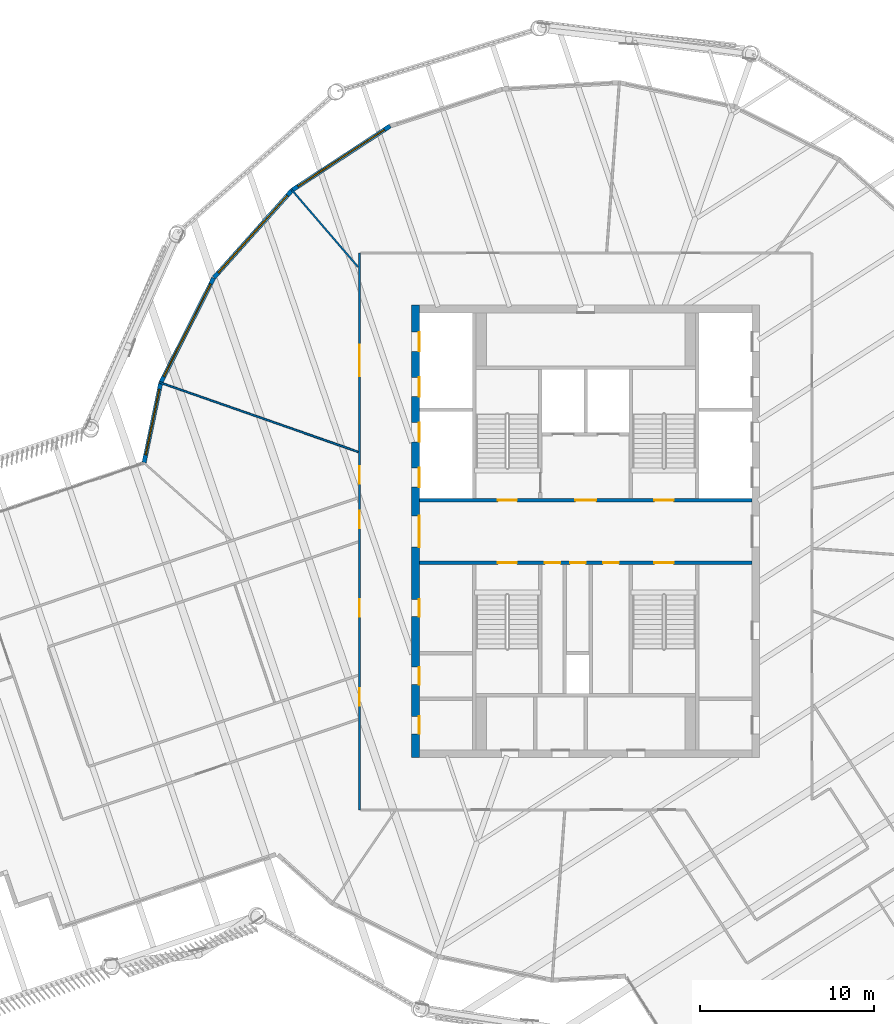
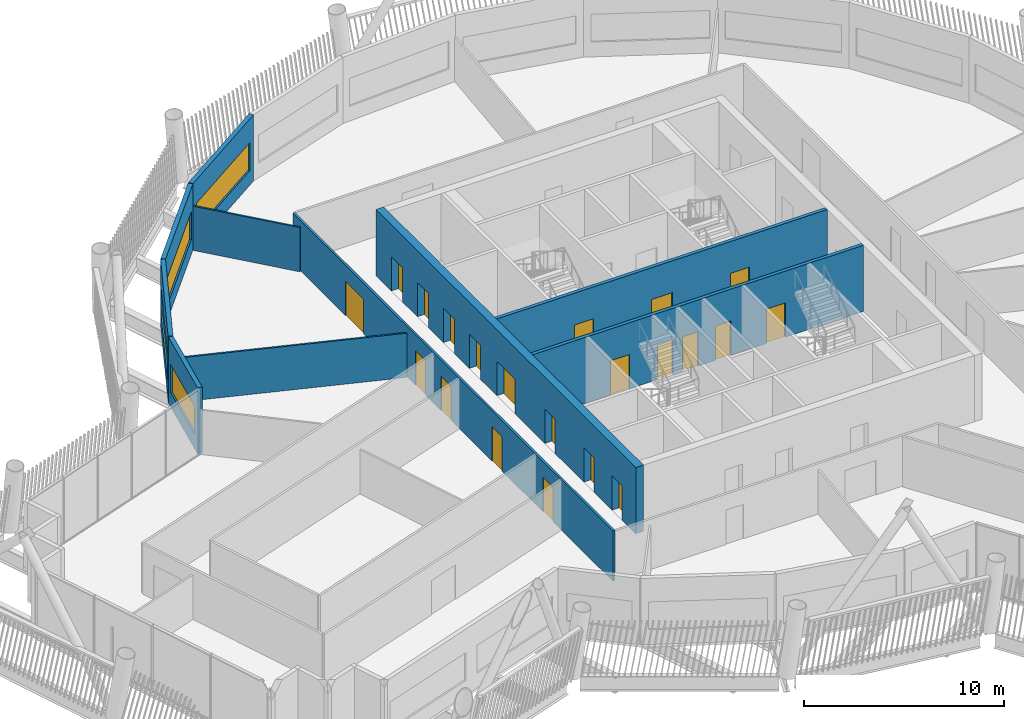
# One storey, part 18 of 35: 21 doors, 10 walls, 4 windows, 25 openings.
"""IFC4 building model written with IfcOpenShell, lengths in metres."""

from ifc_helpers import new_model, si_unit, direction, frame, frame_2d, origin, place, context, subcontext, project, spatial, rectangle, extrude, material, layer, layer_set, type_object, element, fill, save


model = new_model("IFC4")

# Units and contexts
model_context = context("Model", 3, precision=1e-05, world=origin(), true_north=direction((0.0, 1.0)))
body_context = subcontext(model_context, "Body", "Model", "MODEL_VIEW")
ifc_project = project(units=[si_unit("LENGTHUNIT", "METRE"), si_unit("AREAUNIT", "SQUARE_METRE"), si_unit("VOLUMEUNIT", "CUBIC_METRE"), si_unit("PLANEANGLEUNIT", "RADIAN"), si_unit("MASSUNIT", "GRAM", prefix="KILO")], contexts=[model_context])

# Site, building, storey
site_placement = place(None, origin())
site = spatial("IfcSite", under=ifc_project, at=site_placement, CompositionType="ELEMENT")
building_placement = place(site_placement, origin())
building = spatial("IfcBuilding", under=site, at=building_placement, Name="Tarsis Ring Headquarters", CompositionType="ELEMENT")
storey_placement = place(building_placement, frame((0.0, 0.0, 360.800048828125)))
storey = spatial("IfcBuildingStorey", under=building, at=storey_placement, Name="L85", CompositionType="ELEMENT", Elevation=360.800048828125)

# Wall, openings, doors
ifc_material_1 = material(Name="Concrete C50/60", Category="concrete")
ifc_layer_1 = layer(ifc_material_1, 0.449951171875)
ifc_layer_set_1 = layer_set([ifc_layer_1], Name="Core wall 450 C50/60")
wall_type_1 = type_object("IfcWallType", Name="Core wall 450 C50/60", PredefinedType="SHEAR", material=ifc_layer_set_1)
wall_1_placement = place(storey_placement, frame((-9.77490234375, -13.0, 0.0), z_axis=(0.0, 0.0, 1.0), x_axis=(0.0, 1.0, 0.0)))
wall_1 = element("IfcWall", 1, at=wall_1_placement, inside=storey, type_object=wall_type_1, Name="Core wall OW", PredefinedType="SHEAR", context=body_context, shape_type="SweptSolid", body=[
    extrude(rectangle(XDim=26.0, YDim=0.449951171875, at=frame_2d((13.0, 0.0))), origin(), (0.0, 0.0, 1.0), 4.0400390625),
])
opening_1_placement = place(wall_1_placement, frame((1.375, 0.0, 0.0)))
opening_1 = element("IfcOpeningElement", 2, at=opening_1_placement, cuts=wall_1, Name="Opening L85-C01", PredefinedType="OPENING", context=body_context, shape_type="SweptSolid", body=[
    extrude(rectangle(XDim=1.0, YDim=2.10009765625, at=frame_2d((0.5, 1.050048828125))), frame((0.0, 0.23486328125, 0.0), z_axis=(0.0, -1.0, 0.0), x_axis=(1.0, 0.0, 0.0)), (0.0, 0.0, 1.0), 0.469970703125),
])
opening_2_placement = place(wall_1_placement, frame((4.199951171875, 0.0, 0.0)))
opening_2 = element("IfcOpeningElement", 3, at=opening_2_placement, cuts=wall_1, Name="Opening L85-C02", PredefinedType="OPENING", context=body_context, shape_type="SweptSolid", body=[
    extrude(rectangle(XDim=1.0, YDim=2.10009765625, at=frame_2d((0.5, 1.050048828125))), frame((0.0, 0.23486328125, 0.0), z_axis=(0.0, -1.0, 0.0), x_axis=(1.0, 0.0, 0.0)), (0.0, 0.0, 1.0), 0.469970703125),
])
opening_3_placement = place(wall_1_placement, frame((8.10009765625, 0.0, 0.0)))
opening_3 = element("IfcOpeningElement", 4, at=opening_3_placement, cuts=wall_1, Name="Opening L85-C03", PredefinedType="OPENING", context=body_context, shape_type="SweptSolid", body=[
    extrude(rectangle(XDim=1.0, YDim=2.10009765625, at=frame_2d((0.5, 1.050048828125))), frame((0.0, 0.23486328125, 0.0), z_axis=(0.0, -1.0, 0.0), x_axis=(1.0, 0.0, 0.0)), (0.0, 0.0, 1.0), 0.469970703125),
])
opening_4_placement = place(wall_1_placement, frame((12.10009765625, 0.0, 0.0)))
opening_4 = element("IfcOpeningElement", 5, at=opening_4_placement, cuts=wall_1, Name="Opening L85-C04", PredefinedType="OPENING", context=body_context, shape_type="SweptSolid", body=[
    extrude(rectangle(XDim=1.800048828125, YDim=2.10009765625, at=frame_2d((0.89990234375, 1.050048828125))), frame((0.0, 0.23486328125, 0.0), z_axis=(0.0, -1.0, 0.0), x_axis=(1.0, 0.0, 0.0)), (0.0, 0.0, 1.0), 0.469970703125),
])
opening_5_placement = place(wall_1_placement, frame((15.550048828125, 0.0, 0.0)))
opening_5 = element("IfcOpeningElement", 6, at=opening_5_placement, cuts=wall_1, Name="Opening LD-HR1", PredefinedType="OPENING", context=body_context, shape_type="SweptSolid", body=[
    extrude(rectangle(XDim=1.10009765625, YDim=2.10009765625, at=frame_2d((0.550048828125, 1.050048828125))), frame((0.0, 0.23486328125, 0.0), z_axis=(0.0, -1.0, 0.0), x_axis=(1.0, 0.0, 0.0)), (0.0, 0.0, 1.0), 0.469970703125),
])
opening_6_placement = place(wall_1_placement, frame((18.14990234375, 0.0, 0.0)))
opening_6 = element("IfcOpeningElement", 7, at=opening_6_placement, cuts=wall_1, Name="Opening LD-HR2", PredefinedType="OPENING", context=body_context, shape_type="SweptSolid", body=[
    extrude(rectangle(XDim=1.10009765625, YDim=2.10009765625, at=frame_2d((0.550048828125, 1.050048828125))), frame((0.0, 0.23486328125, 0.0), z_axis=(0.0, -1.0, 0.0), x_axis=(1.0, 0.0, 0.0)), (0.0, 0.0, 1.0), 0.469970703125),
])
opening_7_placement = place(wall_1_placement, frame((20.75, 0.0, 0.0)))
opening_7 = element("IfcOpeningElement", 8, at=opening_7_placement, cuts=wall_1, Name="Opening LD-HR3", PredefinedType="OPENING", context=body_context, shape_type="SweptSolid", body=[
    extrude(rectangle(XDim=1.10009765625, YDim=2.10009765625, at=frame_2d((0.550048828125, 1.050048828125))), frame((0.0, 0.23486328125, 0.0), z_axis=(0.0, -1.0, 0.0), x_axis=(1.0, 0.0, 0.0)), (0.0, 0.0, 1.0), 0.469970703125),
])
opening_8_placement = place(wall_1_placement, frame((23.35009765625, 0.0, 0.0)))
opening_8 = element("IfcOpeningElement", 9, at=opening_8_placement, cuts=wall_1, Name="Opening LD-HR4", PredefinedType="OPENING", context=body_context, shape_type="SweptSolid", body=[
    extrude(rectangle(XDim=1.10009765625, YDim=2.10009765625, at=frame_2d((0.550048828125, 1.050048828125))), frame((0.0, 0.23486328125, 0.0), z_axis=(0.0, -1.0, 0.0), x_axis=(1.0, 0.0, 0.0)), (0.0, 0.0, 1.0), 0.469970703125),
])
ifc_material_2 = material(Name="Steel S355", Category="steel")
door_type_1 = type_object("IfcDoorType", Name="Core entry door 1800x2100", OperationType="DOUBLE_DOOR_SINGLE_SWING", PredefinedType="DOOR", material=ifc_material_2)
door_1_placement = place(opening_4_placement, origin())
door_1 = element("IfcDoor", 10, at=door_1_placement, inside=storey, type_object=door_type_1, Name="Core entry door L85", OperationType="DOUBLE_DOOR_SINGLE_SWING", OverallHeight=2.10009765625, OverallWidth=1.800048828125, PredefinedType="DOOR", context=body_context, shape_type="SweptSolid", body=[
    extrude(rectangle(XDim=1.800048828125, YDim=2.10009765625, at=frame_2d((0.89990234375, 1.050048828125))), frame((0.0, -0.1748046875, 0.0), z_axis=(0.0, -1.0, 0.0), x_axis=(1.0, 0.0, 0.0)), (0.0, 0.0, 1.0), 0.050048828125),
])
fill(opening_4, door_1)
door_type_2 = type_object("IfcDoorType", Name="Core room door 1000x2100", OperationType="SINGLE_SWING_LEFT", PredefinedType="DOOR", material=ifc_material_2)
door_2_placement = place(opening_1_placement, origin())
door_2 = element("IfcDoor", 11, at=door_2_placement, inside=storey, type_object=door_type_2, Name="Core room door L85", OperationType="SINGLE_SWING_LEFT", OverallHeight=2.10009765625, OverallWidth=1.0, PredefinedType="DOOR", context=body_context, shape_type="SweptSolid", body=[
    extrude(rectangle(XDim=1.0, YDim=2.10009765625, at=frame_2d((0.5, 1.050048828125))), frame((0.0, -0.1748046875, 0.0), z_axis=(0.0, -1.0, 0.0), x_axis=(1.0, 0.0, 0.0)), (0.0, 0.0, 1.0), 0.050048828125),
])
fill(opening_1, door_2)
door_3_placement = place(opening_2_placement, origin())
door_3 = element("IfcDoor", 12, at=door_3_placement, inside=storey, type_object=door_type_2, Name="Core room door L85", OperationType="SINGLE_SWING_LEFT", OverallHeight=2.10009765625, OverallWidth=1.0, PredefinedType="DOOR", context=body_context, shape_type="SweptSolid", body=[
    extrude(rectangle(XDim=1.0, YDim=2.10009765625, at=frame_2d((0.5, 1.050048828125))), frame((0.0, -0.1748046875, 0.0), z_axis=(0.0, -1.0, 0.0), x_axis=(1.0, 0.0, 0.0)), (0.0, 0.0, 1.0), 0.050048828125),
])
fill(opening_2, door_3)
door_4_placement = place(opening_3_placement, origin())
door_4 = element("IfcDoor", 13, at=door_4_placement, inside=storey, type_object=door_type_2, Name="Core room door L85", OperationType="SINGLE_SWING_LEFT", OverallHeight=2.10009765625, OverallWidth=1.0, PredefinedType="DOOR", context=body_context, shape_type="SweptSolid", body=[
    extrude(rectangle(XDim=1.0, YDim=2.10009765625, at=frame_2d((0.5, 1.050048828125))), frame((0.0, -0.1748046875, 0.0), z_axis=(0.0, -1.0, 0.0), x_axis=(1.0, 0.0, 0.0)), (0.0, 0.0, 1.0), 0.050048828125),
])
fill(opening_3, door_4)
door_type_3 = type_object("IfcDoorType", Name="Landing door 1100x2100", OperationType="SLIDING_TO_LEFT", PredefinedType="DOOR", material=ifc_material_2)
door_5_placement = place(opening_5_placement, origin())
door_5 = element("IfcDoor", 14, at=door_5_placement, inside=storey, type_object=door_type_3, Name="Landing door HR1 L85", OperationType="SLIDING_TO_LEFT", OverallHeight=2.10009765625, OverallWidth=1.10009765625, PredefinedType="DOOR", context=body_context, shape_type="SweptSolid", body=[
    extrude(rectangle(XDim=1.10009765625, YDim=2.10009765625, at=frame_2d((0.550048828125, 1.050048828125))), frame((0.0, -0.1748046875, 0.0), z_axis=(0.0, -1.0, 0.0), x_axis=(1.0, 0.0, 0.0)), (0.0, 0.0, 1.0), 0.050048828125),
])
fill(opening_5, door_5)
door_6_placement = place(opening_6_placement, origin())
door_6 = element("IfcDoor", 15, at=door_6_placement, inside=storey, type_object=door_type_3, Name="Landing door HR2 L85", OperationType="SLIDING_TO_LEFT", OverallHeight=2.10009765625, OverallWidth=1.10009765625, PredefinedType="DOOR", context=body_context, shape_type="SweptSolid", body=[
    extrude(rectangle(XDim=1.10009765625, YDim=2.10009765625, at=frame_2d((0.550048828125, 1.050048828125))), frame((0.0, -0.1748046875, 0.0), z_axis=(0.0, -1.0, 0.0), x_axis=(1.0, 0.0, 0.0)), (0.0, 0.0, 1.0), 0.050048828125),
])
fill(opening_6, door_6)
door_7_placement = place(opening_7_placement, origin())
door_7 = element("IfcDoor", 16, at=door_7_placement, inside=storey, type_object=door_type_3, Name="Landing door HR3 L85", OperationType="SLIDING_TO_LEFT", OverallHeight=2.10009765625, OverallWidth=1.10009765625, PredefinedType="DOOR", context=body_context, shape_type="SweptSolid", body=[
    extrude(rectangle(XDim=1.10009765625, YDim=2.10009765625, at=frame_2d((0.550048828125, 1.050048828125))), frame((0.0, -0.1748046875, 0.0), z_axis=(0.0, -1.0, 0.0), x_axis=(1.0, 0.0, 0.0)), (0.0, 0.0, 1.0), 0.050048828125),
])
fill(opening_7, door_7)
door_8_placement = place(opening_8_placement, origin())
door_8 = element("IfcDoor", 17, at=door_8_placement, inside=storey, type_object=door_type_3, Name="Landing door HR4 L85", OperationType="SLIDING_TO_LEFT", OverallHeight=2.10009765625, OverallWidth=1.10009765625, PredefinedType="DOOR", context=body_context, shape_type="SweptSolid", body=[
    extrude(rectangle(XDim=1.10009765625, YDim=2.10009765625, at=frame_2d((0.550048828125, 1.050048828125))), frame((0.0, -0.1748046875, 0.0), z_axis=(0.0, -1.0, 0.0), x_axis=(1.0, 0.0, 0.0)), (0.0, 0.0, 1.0), 0.050048828125),
])
fill(opening_8, door_8)

# Walls
ifc_material_3 = material(Name="Gypsum board on steel studs", Category="steel")
ifc_layer_2 = layer(ifc_material_3, 0.10009765625)
ifc_layer_set_2 = layer_set([ifc_layer_2], Name="FL partition 100 unrated")
wall_type_2 = type_object("IfcWallType", Name="FL partition 100 unrated", PredefinedType="PARTITIONING", material=ifc_layer_set_2)
wall_2_placement = place(storey_placement, frame((-24.49267578125, 8.567626953125, 0.0), z_axis=(0.0, 0.0, 1.0), x_axis=(0.943919702213, -0.330175098659, 0.0)))
element("IfcWall", 18, at=wall_2_placement, inside=storey, type_object=wall_type_2, Name="Partition PW3", PredefinedType="PARTITIONING", context=body_context, shape_type="SweptSolid", body=[
    extrude(rectangle(XDim=12.095458984375, YDim=0.10009765625, at=frame_2d((6.0478515625, 0.0))), origin(), (0.0, 0.0, 1.0), 2.699951171875),
])
wall_3_placement = place(storey_placement, frame((-16.927490234375, 19.666015625, 0.0), z_axis=(0.0, 0.0, 1.0), x_axis=(0.652366174872, -0.757903934468, 0.0)))
element("IfcWall", 19, at=wall_3_placement, inside=storey, type_object=wall_type_2, Name="Partition PW3", PredefinedType="PARTITIONING", context=body_context, shape_type="SweptSolid", body=[
    extrude(rectangle(XDim=5.88037109375, YDim=0.10009765625, at=frame_2d((2.940185546875, 0.0))), origin(), (0.0, 0.0, 1.0), 2.699951171875),
])

# Wall, openings, doors
ifc_layer_3 = layer(ifc_material_3, 0.125)
ifc_layer_set_3 = layer_set([ifc_layer_3], Name="FL partition 125 EI 60 H3070")
wall_type_3 = type_object("IfcWallType", Name="FL partition 125 EI 60 H3070", PredefinedType="PARTITIONING", material=ifc_layer_set_3)
wall_4_placement = place(storey_placement, frame((-13.0, -16.0, 0.0), z_axis=(0.0, 0.0, 1.0), x_axis=(0.0, 1.0, 0.0)))
wall_4 = element("IfcWall", 20, at=wall_4_placement, inside=storey, type_object=wall_type_3, Name="Partition PW1H307", PredefinedType="PARTITIONING", context=body_context, shape_type="SweptSolid", body=[
    extrude(rectangle(XDim=32.0, YDim=0.125, at=frame_2d((16.0, 0.0))), origin(), (0.0, 0.0, 1.0), 3.070068359375),
])
opening_9_placement = place(wall_4_placement, frame((18.75439453125, 0.0, 0.0)))
opening_9 = element("IfcOpeningElement", 21, at=opening_9_placement, cuts=wall_4, Name="Opening D85.03", PredefinedType="OPENING", context=body_context, shape_type="SweptSolid", body=[
    extrude(rectangle(XDim=1.0, YDim=2.10009765625, at=frame_2d((0.5, 1.050048828125))), frame((0.0, 0.072509765625, 0.0), z_axis=(0.0, -1.0, 0.0), x_axis=(1.0, 0.0, 0.0)), (0.0, 0.0, 1.0), 0.14501953125),
])
opening_10_placement = place(wall_4_placement, frame((24.92529296875, 0.0, 0.0)))
opening_10 = element("IfcOpeningElement", 22, at=opening_10_placement, cuts=wall_4, Name="Opening D85.04", PredefinedType="OPENING", context=body_context, shape_type="SweptSolid", body=[
    extrude(rectangle(XDim=1.800048828125, YDim=2.10009765625, at=frame_2d((0.89990234375, 1.050048828125))), frame((0.0, 0.072509765625, 0.0), z_axis=(0.0, -1.0, 0.0), x_axis=(1.0, 0.0, 0.0)), (0.0, 0.0, 1.0), 0.14501953125),
])
opening_11_placement = place(wall_4_placement, frame((11.0947265625, 0.0, 0.0)))
opening_11 = element("IfcOpeningElement", 23, at=opening_11_placement, cuts=wall_4, Name="Opening D85.13", PredefinedType="OPENING", context=body_context, shape_type="SweptSolid", body=[
    extrude(rectangle(XDim=1.0, YDim=2.10009765625, at=frame_2d((0.5, 1.050048828125))), frame((0.0, 0.072509765625, 0.0), z_axis=(0.0, -1.0, 0.0), x_axis=(1.0, 0.0, 0.0)), (0.0, 0.0, 1.0), 0.14501953125),
])
opening_12_placement = place(wall_4_placement, frame((5.994873046875, 0.0, 0.0)))
opening_12 = element("IfcOpeningElement", 24, at=opening_12_placement, cuts=wall_4, Name="Opening D85.16", PredefinedType="OPENING", context=body_context, shape_type="SweptSolid", body=[
    extrude(rectangle(XDim=1.0, YDim=2.10009765625, at=frame_2d((0.5, 1.050048828125))), frame((0.0, 0.072509765625, 0.0), z_axis=(0.0, -1.0, 0.0), x_axis=(1.0, 0.0, 0.0)), (0.0, 0.0, 1.0), 0.14501953125),
])
opening_13_placement = place(wall_4_placement, frame((16.194580078125, 0.0, 0.0)))
opening_13 = element("IfcOpeningElement", 25, at=opening_13_placement, cuts=wall_4, Name="Opening D85.17", PredefinedType="OPENING", context=body_context, shape_type="SweptSolid", body=[
    extrude(rectangle(XDim=1.0, YDim=2.10009765625, at=frame_2d((0.5, 1.050048828125))), frame((0.0, 0.072509765625, 0.0), z_axis=(0.0, -1.0, 0.0), x_axis=(1.0, 0.0, 0.0)), (0.0, 0.0, 1.0), 0.14501953125),
])
ifc_material_4 = material(Name="Fire-rated timber door leaf in steel frame", Category="steel")
door_type_4 = type_object("IfcDoorType", Name="FL door FD60-1000", OperationType="NOTDEFINED", PredefinedType="DOOR", material=ifc_material_4)
door_9_placement = place(opening_9_placement, origin())
door_9 = element("IfcDoor", 26, at=door_9_placement, inside=storey, type_object=door_type_4, Name="Door D85.03", OperationType="SINGLE_SWING_RIGHT", OverallHeight=2.10009765625, OverallWidth=1.0, PredefinedType="DOOR", context=body_context, shape_type="SweptSolid", body=[
    extrude(rectangle(XDim=1.0, YDim=2.10009765625, at=frame_2d((0.5, 1.050048828125))), frame((0.0, 0.02490234375, 0.0), z_axis=(0.0, -1.0, 0.0), x_axis=(1.0, 0.0, 0.0)), (0.0, 0.0, 1.0), 0.050048828125),
])
fill(opening_9, door_9)
door_10_placement = place(opening_11_placement, origin())
door_10 = element("IfcDoor", 27, at=door_10_placement, inside=storey, type_object=door_type_4, Name="Door D85.13", OperationType="SINGLE_SWING_RIGHT", OverallHeight=2.10009765625, OverallWidth=1.0, PredefinedType="DOOR", context=body_context, shape_type="SweptSolid", body=[
    extrude(rectangle(XDim=1.0, YDim=2.10009765625, at=frame_2d((0.5, 1.050048828125))), frame((0.0, 0.02490234375, 0.0), z_axis=(0.0, -1.0, 0.0), x_axis=(1.0, 0.0, 0.0)), (0.0, 0.0, 1.0), 0.050048828125),
])
fill(opening_11, door_10)
door_11_placement = place(opening_12_placement, origin())
door_11 = element("IfcDoor", 28, at=door_11_placement, inside=storey, type_object=door_type_4, Name="Door D85.16", OperationType="SINGLE_SWING_LEFT", OverallHeight=2.10009765625, OverallWidth=1.0, PredefinedType="DOOR", context=body_context, shape_type="SweptSolid", body=[
    extrude(rectangle(XDim=1.0, YDim=2.10009765625, at=frame_2d((0.5, 1.050048828125))), frame((0.0, 0.02490234375, 0.0), z_axis=(0.0, -1.0, 0.0), x_axis=(1.0, 0.0, 0.0)), (0.0, 0.0, 1.0), 0.050048828125),
])
fill(opening_12, door_11)
door_12_placement = place(opening_13_placement, origin())
door_12 = element("IfcDoor", 29, at=door_12_placement, inside=storey, type_object=door_type_4, Name="Door D85.17", OperationType="SINGLE_SWING_RIGHT", OverallHeight=2.10009765625, OverallWidth=1.0, PredefinedType="DOOR", context=body_context, shape_type="SweptSolid", body=[
    extrude(rectangle(XDim=1.0, YDim=2.10009765625, at=frame_2d((0.5, 1.050048828125))), frame((0.0, 0.02490234375, 0.0), z_axis=(0.0, -1.0, 0.0), x_axis=(1.0, 0.0, 0.0)), (0.0, 0.0, 1.0), 0.050048828125),
])
fill(opening_13, door_12)
door_type_5 = type_object("IfcDoorType", Name="FL door FD60-1800", OperationType="DOUBLE_DOOR_SINGLE_SWING", PredefinedType="DOOR", material=ifc_material_4)
door_13_placement = place(opening_10_placement, origin())
door_13 = element("IfcDoor", 30, at=door_13_placement, inside=storey, type_object=door_type_5, Name="Door D85.04", OperationType="DOUBLE_DOOR_SINGLE_SWING", OverallHeight=2.10009765625, OverallWidth=1.800048828125, PredefinedType="DOOR", context=body_context, shape_type="SweptSolid", body=[
    extrude(rectangle(XDim=1.800048828125, YDim=2.10009765625, at=frame_2d((0.89990234375, 1.050048828125))), frame((0.0, 0.02490234375, 0.0), z_axis=(0.0, -1.0, 0.0), x_axis=(1.0, 0.0, 0.0)), (0.0, 0.0, 1.0), 0.050048828125),
])
fill(opening_10, door_13)

# Wall, opening, window
ifc_material_5 = material(Name="Terracotta clad insulated panel wall", Category="masonry")
ifc_layer_4 = layer(ifc_material_5, 0.25)
ifc_layer_set_4 = layer_set([ifc_layer_4], Name="Facade wall terracotta panel 250")
wall_type_4 = type_object("IfcWallType", Name="Facade wall terracotta panel 250", PredefinedType="STANDARD", material=ifc_layer_set_4)
wall_5_placement = place(storey_placement, frame((-11.242431640625, 23.301513671875, 0.0), z_axis=(0.0, 0.0, 1.0), x_axis=(-0.836576514594, -0.547850102884, 0.0)))
wall_5 = element("IfcWall", 31, at=wall_5_placement, inside=storey, type_object=wall_type_4, Name="External wall L85-27", PredefinedType="STANDARD", context=body_context, shape_type="SweptSolid", body=[
    extrude(rectangle(XDim=6.721435546875, YDim=0.25, at=frame_2d((3.36083984375, 0.0))), origin(), (0.0, 0.0, 1.0), 4.0400390625),
])
opening_14_placement = place(wall_5_placement, frame((0.3857421875, 0.0, 0.89990234375)))
opening_14 = element("IfcOpeningElement", 32, at=opening_14_placement, cuts=wall_5, Name="Opening WN07", PredefinedType="OPENING", context=body_context, shape_type="SweptSolid", body=[
    extrude(rectangle(XDim=5.949951171875, YDim=1.699951171875, at=frame_2d((2.97509765625, 0.85009765625))), frame((0.0, 0.135009765625, 0.0), z_axis=(0.0, -1.0, 0.0), x_axis=(1.0, 0.0, 0.0)), (0.0, 0.0, 1.0), 0.27001953125),
])
ifc_material_6 = material(Name="Aluminium framed double glazing", Category="aluminium")
window_type_1 = type_object("IfcWindowType", Name="Facade window 5950 x 1700", PartitioningType="SINGLE_PANEL", PredefinedType="WINDOW", material=ifc_material_6)
window_1_placement = place(opening_14_placement, origin())
window_1 = element("IfcWindow", 33, at=window_1_placement, inside=storey, type_object=window_type_1, Name="Window L85-27.1", OverallHeight=1.699951171875, OverallWidth=5.949951171875, PartitioningType="SINGLE_PANEL", PredefinedType="WINDOW", context=body_context, shape_type="SweptSolid", body=[
    extrude(rectangle(XDim=5.949951171875, YDim=1.699951171875, at=frame_2d((2.97509765625, 0.85009765625))), frame((0.0, 0.030029296875, 0.0), z_axis=(0.0, -1.0, 0.0), x_axis=(1.0, 0.0, 0.0)), (0.0, 0.0, 1.0), 0.06005859375),
])
fill(opening_14, window_1)

wall_6_placement = place(storey_placement, frame((-16.89013671875, 19.59765625, 0.0), z_axis=(0.0, 0.0, 1.0), x_axis=(-0.666271253828, -0.745709471793, 0.0)))
wall_6 = element("IfcWall", 34, at=wall_6_placement, inside=storey, type_object=wall_type_4, Name="External wall L85-28", PredefinedType="STANDARD", context=body_context, shape_type="SweptSolid", body=[
    extrude(rectangle(XDim=6.721435546875, YDim=0.25, at=frame_2d((3.36083984375, 0.0))), origin(), (0.0, 0.0, 1.0), 4.0400390625),
])
opening_15_placement = place(wall_6_placement, frame((0.3857421875, 0.0, 0.89990234375)))
opening_15 = element("IfcOpeningElement", 35, at=opening_15_placement, cuts=wall_6, Name="Opening WN07", PredefinedType="OPENING", context=body_context, shape_type="SweptSolid", body=[
    extrude(rectangle(XDim=5.949951171875, YDim=1.699951171875, at=frame_2d((2.97509765625, 0.85009765625))), frame((0.0, 0.135009765625, 0.0), z_axis=(0.0, -1.0, 0.0), x_axis=(1.0, 0.0, 0.0)), (0.0, 0.0, 1.0), 0.27001953125),
])
window_2_placement = place(opening_15_placement, origin())
window_2 = element("IfcWindow", 36, at=window_2_placement, inside=storey, type_object=window_type_1, Name="Window L85-28.1", OverallHeight=1.699951171875, OverallWidth=5.949951171875, PartitioningType="SINGLE_PANEL", PredefinedType="WINDOW", context=body_context, shape_type="SweptSolid", body=[
    extrude(rectangle(XDim=5.949951171875, YDim=1.699951171875, at=frame_2d((2.97509765625, 0.85009765625))), frame((0.0, 0.030029296875, 0.0), z_axis=(0.0, -1.0, 0.0), x_axis=(1.0, 0.0, 0.0)), (0.0, 0.0, 1.0), 0.06005859375),
])
fill(opening_15, window_2)

wall_7_placement = place(storey_placement, frame((-21.386962890625, 14.55859375, 0.0), z_axis=(0.0, 0.0, 1.0), x_axis=(-0.450537593004, -0.892757457146, 0.0)))
wall_7 = element("IfcWall", 37, at=wall_7_placement, inside=storey, type_object=wall_type_4, Name="External wall L85-29", PredefinedType="STANDARD", context=body_context, shape_type="SweptSolid", body=[
    extrude(rectangle(XDim=6.7216796875, YDim=0.25, at=frame_2d((3.36083984375, 0.0))), origin(), (0.0, 0.0, 1.0), 4.0400390625),
])
opening_16_placement = place(wall_7_placement, frame((0.3857421875, 0.0, 0.89990234375)))
opening_16 = element("IfcOpeningElement", 38, at=opening_16_placement, cuts=wall_7, Name="Opening WN07", PredefinedType="OPENING", context=body_context, shape_type="SweptSolid", body=[
    extrude(rectangle(XDim=5.949951171875, YDim=1.699951171875, at=frame_2d((2.97509765625, 0.85009765625))), frame((0.0, 0.135009765625, 0.0), z_axis=(0.0, -1.0, 0.0), x_axis=(1.0, 0.0, 0.0)), (0.0, 0.0, 1.0), 0.27001953125),
])
window_3_placement = place(opening_16_placement, origin())
window_3 = element("IfcWindow", 39, at=window_3_placement, inside=storey, type_object=window_type_1, Name="Window L85-29.1", OverallHeight=1.699951171875, OverallWidth=5.949951171875, PartitioningType="SINGLE_PANEL", PredefinedType="WINDOW", context=body_context, shape_type="SweptSolid", body=[
    extrude(rectangle(XDim=5.949951171875, YDim=1.699951171875, at=frame_2d((2.97509765625, 0.85009765625))), frame((0.0, 0.030029296875, 0.0), z_axis=(0.0, -1.0, 0.0), x_axis=(1.0, 0.0, 0.0)), (0.0, 0.0, 1.0), 0.06005859375),
])
fill(opening_16, window_3)

wall_8_placement = place(storey_placement, frame((-24.42626953125, 8.527099609375, 0.0), z_axis=(0.0, 0.0, 1.0), x_axis=(-0.204144516899, -0.978940762365, 0.0)))
wall_8 = element("IfcWall", 40, at=wall_8_placement, inside=storey, type_object=wall_type_4, Name="External wall L85-30", PredefinedType="STANDARD", context=body_context, shape_type="SweptSolid", body=[
    extrude(rectangle(XDim=4.662841796875, YDim=0.25, at=frame_2d((2.33154296875, 0.0))), origin(), (0.0, 0.0, 1.0), 4.0400390625),
])
opening_17_placement = place(wall_8_placement, frame((0.367431640625, 0.0, 0.89990234375)))
opening_17 = element("IfcOpeningElement", 41, at=opening_17_placement, cuts=wall_8, Name="Opening WN02", PredefinedType="OPENING", context=body_context, shape_type="SweptSolid", body=[
    extrude(rectangle(XDim=3.85009765625, YDim=1.699951171875, at=frame_2d((1.925048828125, 0.85009765625))), frame((0.0, 0.135009765625, 0.0), z_axis=(0.0, -1.0, 0.0), x_axis=(1.0, 0.0, 0.0)), (0.0, 0.0, 1.0), 0.27001953125),
])
window_type_2 = type_object("IfcWindowType", Name="Facade window 3850 x 1700", PartitioningType="SINGLE_PANEL", PredefinedType="WINDOW", material=ifc_material_6)
window_4_placement = place(opening_17_placement, origin())
window_4 = element("IfcWindow", 42, at=window_4_placement, inside=storey, type_object=window_type_2, Name="Window L85-30.1", OverallHeight=1.699951171875, OverallWidth=3.85009765625, PartitioningType="SINGLE_PANEL", PredefinedType="WINDOW", context=body_context, shape_type="SweptSolid", body=[
    extrude(rectangle(XDim=3.85009765625, YDim=1.699951171875, at=frame_2d((1.925048828125, 0.85009765625))), frame((0.0, 0.030029296875, 0.0), z_axis=(0.0, -1.0, 0.0), x_axis=(1.0, 0.0, 0.0)), (0.0, 0.0, 1.0), 0.06005859375),
])
fill(opening_17, window_4)

# Wall, openings, doors
ifc_material_7 = material(Name="Concrete C32/40", Category="concrete")
ifc_layer_5 = layer(ifc_material_7, 0.199951171875)
ifc_layer_set_5 = layer_set([ifc_layer_5], Name="Shaft wall 200 C32/40")
wall_type_5 = type_object("IfcWallType", Name="Shaft wall 200 C32/40", PredefinedType="SOLIDWALL", material=ifc_layer_set_5)
wall_9_placement = place(storey_placement, frame((-9.550048828125, 1.800048828125, 0.0), z_axis=(0.0, 0.0, 1.0), x_axis=(1.0, 0.0, 0.0)))
wall_9 = element("IfcWall", 43, at=wall_9_placement, inside=storey, type_object=wall_type_5, Name="Core shaft wall CN", PredefinedType="SOLIDWALL", context=body_context, shape_type="SweptSolid", body=[
    extrude(rectangle(XDim=19.10009765625, YDim=0.199951171875, at=frame_2d((9.550048828125, 0.0))), origin(), (0.0, 0.0, 1.0), 4.0400390625),
])
opening_18_placement = place(wall_9_placement, frame((4.5, 0.0, 0.0)))
opening_18 = element("IfcOpeningElement", 44, at=opening_18_placement, cuts=wall_9, Name="Opening L85-C20", PredefinedType="OPENING", context=body_context, shape_type="SweptSolid", body=[
    extrude(rectangle(XDim=1.10009765625, YDim=2.10009765625, at=frame_2d((0.550048828125, 1.050048828125))), frame((0.0, 0.10986328125, 0.0), z_axis=(0.0, -1.0, 0.0), x_axis=(1.0, 0.0, 0.0)), (0.0, 0.0, 1.0), 0.219970703125),
])
opening_19_placement = place(wall_9_placement, frame((8.949951171875, 0.0, 0.0)))
opening_19 = element("IfcOpeningElement", 45, at=opening_19_placement, cuts=wall_9, Name="Opening L85-C21", PredefinedType="OPENING", context=body_context, shape_type="SweptSolid", body=[
    extrude(rectangle(XDim=1.199951171875, YDim=2.10009765625, at=frame_2d((0.60009765625, 1.050048828125))), frame((0.0, 0.10986328125, 0.0), z_axis=(0.0, -1.0, 0.0), x_axis=(1.0, 0.0, 0.0)), (0.0, 0.0, 1.0), 0.219970703125),
])
opening_20_placement = place(wall_9_placement, frame((13.5, 0.0, 0.0)))
opening_20 = element("IfcOpeningElement", 46, at=opening_20_placement, cuts=wall_9, Name="Opening L85-C22", PredefinedType="OPENING", context=body_context, shape_type="SweptSolid", body=[
    extrude(rectangle(XDim=1.10009765625, YDim=2.10009765625, at=frame_2d((0.550048828125, 1.050048828125))), frame((0.0, 0.10986328125, 0.0), z_axis=(0.0, -1.0, 0.0), x_axis=(1.0, 0.0, 0.0)), (0.0, 0.0, 1.0), 0.219970703125),
])
door_type_6 = type_object("IfcDoorType", Name="Firefighting lobby door 1200x2100", OperationType="DOUBLE_DOOR_SINGLE_SWING", PredefinedType="DOOR", material=ifc_material_2)
door_14_placement = place(opening_19_placement, origin())
door_14 = element("IfcDoor", 47, at=door_14_placement, inside=storey, type_object=door_type_6, Name="Firefighting lobby door L85", OperationType="DOUBLE_DOOR_SINGLE_SWING", OverallHeight=2.10009765625, OverallWidth=1.199951171875, PredefinedType="DOOR", context=body_context, shape_type="SweptSolid", body=[
    extrude(rectangle(XDim=1.199951171875, YDim=2.10009765625, at=frame_2d((0.60009765625, 1.050048828125))), frame((0.0, 0.02490234375, 0.0), z_axis=(0.0, -1.0, 0.0), x_axis=(1.0, 0.0, 0.0)), (0.0, 0.0, 1.0), 0.050048828125),
])
fill(opening_19, door_14)
door_type_7 = type_object("IfcDoorType", Name="Stair door 1100x2100", OperationType="SINGLE_SWING_LEFT", PredefinedType="DOOR", material=ifc_material_2)
door_15_placement = place(opening_18_placement, origin())
door_15 = element("IfcDoor", 48, at=door_15_placement, inside=storey, type_object=door_type_7, Name="Stair door L85", OperationType="SINGLE_SWING_LEFT", OverallHeight=2.10009765625, OverallWidth=1.10009765625, PredefinedType="DOOR", context=body_context, shape_type="SweptSolid", body=[
    extrude(rectangle(XDim=1.10009765625, YDim=2.10009765625, at=frame_2d((0.550048828125, 1.050048828125))), frame((0.0, 0.02490234375, 0.0), z_axis=(0.0, -1.0, 0.0), x_axis=(1.0, 0.0, 0.0)), (0.0, 0.0, 1.0), 0.050048828125),
])
fill(opening_18, door_15)
door_16_placement = place(opening_20_placement, origin())
door_16 = element("IfcDoor", 49, at=door_16_placement, inside=storey, type_object=door_type_7, Name="Stair door L85", OperationType="SINGLE_SWING_LEFT", OverallHeight=2.10009765625, OverallWidth=1.10009765625, PredefinedType="DOOR", context=body_context, shape_type="SweptSolid", body=[
    extrude(rectangle(XDim=1.10009765625, YDim=2.10009765625, at=frame_2d((0.550048828125, 1.050048828125))), frame((0.0, 0.02490234375, 0.0), z_axis=(0.0, -1.0, 0.0), x_axis=(1.0, 0.0, 0.0)), (0.0, 0.0, 1.0), 0.050048828125),
])
fill(opening_20, door_16)

wall_10_placement = place(storey_placement, frame((-9.550048828125, -1.800048828125, 0.0), z_axis=(0.0, 0.0, 1.0), x_axis=(1.0, 0.0, 0.0)))
wall_10 = element("IfcWall", 50, at=wall_10_placement, inside=storey, type_object=wall_type_5, Name="Core shaft wall CS", PredefinedType="SOLIDWALL", context=body_context, shape_type="SweptSolid", body=[
    extrude(rectangle(XDim=19.10009765625, YDim=0.199951171875, at=frame_2d((9.550048828125, 0.0))), origin(), (0.0, 0.0, 1.0), 4.0400390625),
])
opening_21_placement = place(wall_10_placement, frame((4.5, 0.0, 0.0)))
opening_21 = element("IfcOpeningElement", 51, at=opening_21_placement, cuts=wall_10, Name="Opening L85-C23", PredefinedType="OPENING", context=body_context, shape_type="SweptSolid", body=[
    extrude(rectangle(XDim=1.10009765625, YDim=2.10009765625, at=frame_2d((0.550048828125, 1.050048828125))), frame((0.0, 0.10986328125, 0.0), z_axis=(0.0, -1.0, 0.0), x_axis=(1.0, 0.0, 0.0)), (0.0, 0.0, 1.0), 0.219970703125),
])
opening_22_placement = place(wall_10_placement, frame((7.199951171875, 0.0, 0.0)))
opening_22 = element("IfcOpeningElement", 52, at=opening_22_placement, cuts=wall_10, Name="Opening L85-C24", PredefinedType="OPENING", context=body_context, shape_type="SweptSolid", body=[
    extrude(rectangle(XDim=0.89990234375, YDim=2.10009765625, at=frame_2d((0.449951171875, 1.050048828125))), frame((0.0, 0.10986328125, 0.0), z_axis=(0.0, -1.0, 0.0), x_axis=(1.0, 0.0, 0.0)), (0.0, 0.0, 1.0), 0.219970703125),
])
opening_23_placement = place(wall_10_placement, frame((8.64990234375, 0.0, 0.0)))
opening_23 = element("IfcOpeningElement", 53, at=opening_23_placement, cuts=wall_10, Name="Opening L85-C25", PredefinedType="OPENING", context=body_context, shape_type="SweptSolid", body=[
    extrude(rectangle(XDim=0.89990234375, YDim=2.10009765625, at=frame_2d((0.449951171875, 1.050048828125))), frame((0.0, 0.10986328125, 0.0), z_axis=(0.0, -1.0, 0.0), x_axis=(1.0, 0.0, 0.0)), (0.0, 0.0, 1.0), 0.219970703125),
])
opening_24_placement = place(wall_10_placement, frame((10.550048828125, 0.0, 0.0)))
opening_24 = element("IfcOpeningElement", 54, at=opening_24_placement, cuts=wall_10, Name="Opening L85-C26", PredefinedType="OPENING", context=body_context, shape_type="SweptSolid", body=[
    extrude(rectangle(XDim=0.89990234375, YDim=2.10009765625, at=frame_2d((0.449951171875, 1.050048828125))), frame((0.0, 0.10986328125, 0.0), z_axis=(0.0, -1.0, 0.0), x_axis=(1.0, 0.0, 0.0)), (0.0, 0.0, 1.0), 0.219970703125),
])
opening_25_placement = place(wall_10_placement, frame((13.5, 0.0, 0.0)))
opening_25 = element("IfcOpeningElement", 55, at=opening_25_placement, cuts=wall_10, Name="Opening L85-C27", PredefinedType="OPENING", context=body_context, shape_type="SweptSolid", body=[
    extrude(rectangle(XDim=1.10009765625, YDim=2.10009765625, at=frame_2d((0.550048828125, 1.050048828125))), frame((0.0, 0.10986328125, 0.0), z_axis=(0.0, -1.0, 0.0), x_axis=(1.0, 0.0, 0.0)), (0.0, 0.0, 1.0), 0.219970703125),
])
door_17_placement = place(opening_21_placement, origin())
door_17 = element("IfcDoor", 56, at=door_17_placement, inside=storey, type_object=door_type_7, Name="Stair door L85", OperationType="SINGLE_SWING_LEFT", OverallHeight=2.10009765625, OverallWidth=1.10009765625, PredefinedType="DOOR", context=body_context, shape_type="SweptSolid", body=[
    extrude(rectangle(XDim=1.10009765625, YDim=2.10009765625, at=frame_2d((0.550048828125, 1.050048828125))), frame((0.0, 0.02490234375, 0.0), z_axis=(0.0, -1.0, 0.0), x_axis=(1.0, 0.0, 0.0)), (0.0, 0.0, 1.0), 0.050048828125),
])
fill(opening_21, door_17)
door_18_placement = place(opening_25_placement, origin())
door_18 = element("IfcDoor", 57, at=door_18_placement, inside=storey, type_object=door_type_7, Name="Stair door L85", OperationType="SINGLE_SWING_LEFT", OverallHeight=2.10009765625, OverallWidth=1.10009765625, PredefinedType="DOOR", context=body_context, shape_type="SweptSolid", body=[
    extrude(rectangle(XDim=1.10009765625, YDim=2.10009765625, at=frame_2d((0.550048828125, 1.050048828125))), frame((0.0, 0.02490234375, 0.0), z_axis=(0.0, -1.0, 0.0), x_axis=(1.0, 0.0, 0.0)), (0.0, 0.0, 1.0), 0.050048828125),
])
fill(opening_25, door_18)
door_type_8 = type_object("IfcDoorType", Name="WC door 900x2100", OperationType="SINGLE_SWING_LEFT", PredefinedType="DOOR", material=ifc_material_2)
door_19_placement = place(opening_22_placement, origin())
door_19 = element("IfcDoor", 58, at=door_19_placement, inside=storey, type_object=door_type_8, Name="WC door L85", OperationType="SINGLE_SWING_LEFT", OverallHeight=2.10009765625, OverallWidth=0.89990234375, PredefinedType="DOOR", context=body_context, shape_type="SweptSolid", body=[
    extrude(rectangle(XDim=0.89990234375, YDim=2.10009765625, at=frame_2d((0.449951171875, 1.050048828125))), frame((0.0, 0.02490234375, 0.0), z_axis=(0.0, -1.0, 0.0), x_axis=(1.0, 0.0, 0.0)), (0.0, 0.0, 1.0), 0.050048828125),
])
fill(opening_22, door_19)
door_20_placement = place(opening_23_placement, origin())
door_20 = element("IfcDoor", 59, at=door_20_placement, inside=storey, type_object=door_type_8, Name="WC door L85", OperationType="SINGLE_SWING_LEFT", OverallHeight=2.10009765625, OverallWidth=0.89990234375, PredefinedType="DOOR", context=body_context, shape_type="SweptSolid", body=[
    extrude(rectangle(XDim=0.89990234375, YDim=2.10009765625, at=frame_2d((0.449951171875, 1.050048828125))), frame((0.0, 0.02490234375, 0.0), z_axis=(0.0, -1.0, 0.0), x_axis=(1.0, 0.0, 0.0)), (0.0, 0.0, 1.0), 0.050048828125),
])
fill(opening_23, door_20)
door_21_placement = place(opening_24_placement, origin())
door_21 = element("IfcDoor", 60, at=door_21_placement, inside=storey, type_object=door_type_8, Name="WC door L85", OperationType="SINGLE_SWING_LEFT", OverallHeight=2.10009765625, OverallWidth=0.89990234375, PredefinedType="DOOR", context=body_context, shape_type="SweptSolid", body=[
    extrude(rectangle(XDim=0.89990234375, YDim=2.10009765625, at=frame_2d((0.449951171875, 1.050048828125))), frame((0.0, 0.02490234375, 0.0), z_axis=(0.0, -1.0, 0.0), x_axis=(1.0, 0.0, 0.0)), (0.0, 0.0, 1.0), 0.050048828125),
])
fill(opening_24, door_21)

save(model, "model.ifc")
